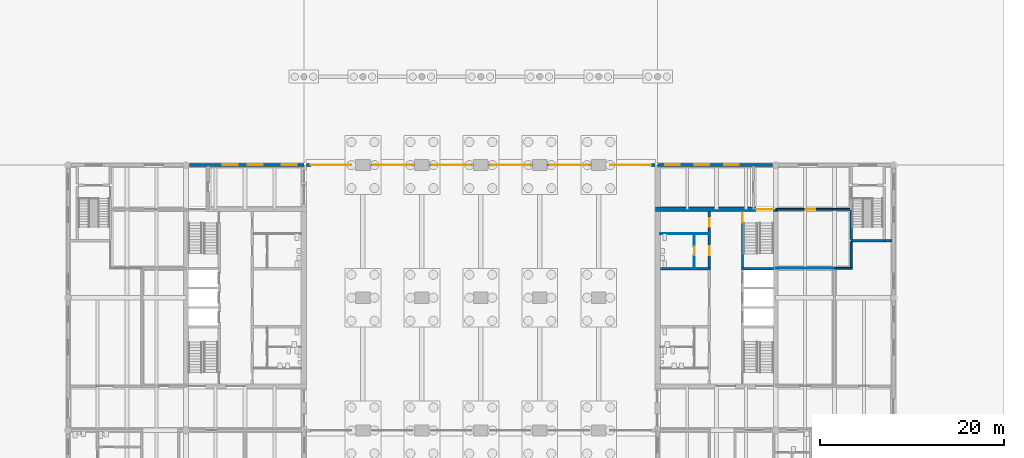
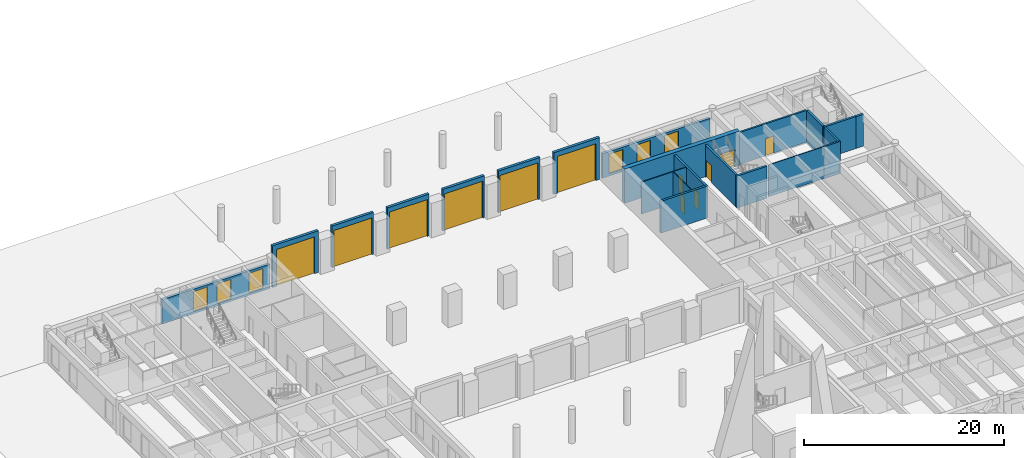
# One storey, part 20 of 28: 22 walls, 12 doors, 6 windows, 18 openings.
"""IFC4 building model written with IfcOpenShell, lengths in metres."""

from ifc_helpers import new_model, si_unit, direction, frame, frame_2d, origin, place, context, subcontext, project, spatial, rectangle, extrude, material, layer, layer_set, type_object, element, fill, save


model = new_model("IFC4")

# Units and contexts
model_context = context("Model", 3, precision=1e-05, world=origin(), true_north=direction((0.0, 1.0)))
body_context = subcontext(model_context, "Body", "Model", "MODEL_VIEW")
ifc_project = project(units=[si_unit("LENGTHUNIT", "METRE"), si_unit("AREAUNIT", "SQUARE_METRE"), si_unit("VOLUMEUNIT", "CUBIC_METRE"), si_unit("PLANEANGLEUNIT", "RADIAN"), si_unit("MASSUNIT", "GRAM", prefix="KILO")], contexts=[model_context])

# Site, building, storey
site_placement = place(None, origin())
site = spatial("IfcSite", under=ifc_project, at=site_placement, CompositionType="ELEMENT")
building_placement = place(site_placement, origin())
building = spatial("IfcBuilding", under=site, at=building_placement, Name="Fogon Plaza Fire Station and Headquarters Tower", CompositionType="ELEMENT")
storey_placement = place(building_placement, origin())
storey = spatial("IfcBuildingStorey", under=building, at=storey_placement, Name="L00", CompositionType="ELEMENT", Elevation=0.0)

# Wall, openings, windows
ifc_material_1 = material(Name="Concrete C40", Category="concrete")
ifc_layer_1 = layer(ifc_material_1, 0.300048828125)
ifc_layer_set_1 = layer_set([ifc_layer_1], Name="Concrete C40")
wall_type_1 = type_object("IfcWallType", Name="Board-marked RC Infill Wall 300", PredefinedType="SOLIDWALL", material=ifc_layer_set_1)
wall_1_placement = place(storey_placement, frame((13.14990234375, 57.60009765625, 0.0), z_axis=(0.0, 0.0, 1.0), x_axis=(1.0, 0.0, 0.0)))
wall_1 = element("IfcWall", 1, at=wall_1_placement, inside=storey, type_object=wall_type_1, Name="Exterior wall WN L00", PredefinedType="SOLIDWALL", context=body_context, shape_type="SweptSolid", body=[
    extrude(rectangle(XDim=12.4501953125, YDim=0.300048828125, at=frame_2d((6.22509765625, 0.0))), origin(), (0.0, 0.0, 1.0), 3.0),
])
opening_1_placement = place(wall_1_placement, frame((6.35009765625, 0.0, 0.300048828125)))
opening_1 = element("IfcOpeningElement", 2, at=opening_1_placement, cuts=wall_1, Name="Opening W2", PredefinedType="OPENING", context=body_context, shape_type="SweptSolid", body=[
    extrude(rectangle(XDim=1.60009765625, YDim=2.39990234375, at=frame_2d((0.800048828125, 1.199951171875))), frame((0.0, 0.159912109375, 0.0), z_axis=(0.0, -1.0, 0.0), x_axis=(1.0, 0.0, 0.0)), (0.0, 0.0, 1.0), 0.320068359375),
])
opening_2_placement = place(wall_1_placement, frame((3.64990234375, 0.0, 0.300048828125)))
opening_2 = element("IfcOpeningElement", 3, at=opening_2_placement, cuts=wall_1, Name="Opening W2", PredefinedType="OPENING", context=body_context, shape_type="SweptSolid", body=[
    extrude(rectangle(XDim=1.60009765625, YDim=2.39990234375, at=frame_2d((0.800048828125, 1.199951171875))), frame((0.0, 0.159912109375, 0.0), z_axis=(0.0, -1.0, 0.0), x_axis=(1.0, 0.0, 0.0)), (0.0, 0.0, 1.0), 0.320068359375),
])
opening_3_placement = place(wall_1_placement, frame((10.050048828125, 0.0, 0.300048828125)))
opening_3 = element("IfcOpeningElement", 4, at=opening_3_placement, cuts=wall_1, Name="Opening W2", PredefinedType="OPENING", context=body_context, shape_type="SweptSolid", body=[
    extrude(rectangle(XDim=1.60009765625, YDim=2.39990234375, at=frame_2d((0.800048828125, 1.199951171875))), frame((0.0, 0.159912109375, 0.0), z_axis=(0.0, -1.0, 0.0), x_axis=(1.0, 0.0, 0.0)), (0.0, 0.0, 1.0), 0.320068359375),
])
ifc_material_2 = material(Name="Aluminium framed double glazing", Category="aluminium")
window_type = type_object("IfcWindowType", Name="Window W2 1600x2400", PartitioningType="SINGLE_PANEL", PredefinedType="WINDOW", material=ifc_material_2)
window_1_placement = place(opening_1_placement, origin())
window_1 = element("IfcWindow", 5, at=window_1_placement, inside=storey, type_object=window_type, Name="Window W2 N L00", OverallHeight=2.39990234375, OverallWidth=1.60009765625, PartitioningType="SINGLE_PANEL", PredefinedType="WINDOW", context=body_context, shape_type="SweptSolid", body=[
    extrude(rectangle(XDim=1.60009765625, YDim=2.39990234375, at=frame_2d((0.800048828125, 1.199951171875))), frame((0.0, 0.030029296875, 0.0), z_axis=(0.0, -1.0, 0.0), x_axis=(1.0, 0.0, 0.0)), (0.0, 0.0, 1.0), 0.06005859375),
])
fill(opening_1, window_1)
window_2_placement = place(opening_2_placement, origin())
window_2 = element("IfcWindow", 6, at=window_2_placement, inside=storey, type_object=window_type, Name="Window W2 N L00", OverallHeight=2.39990234375, OverallWidth=1.60009765625, PartitioningType="SINGLE_PANEL", PredefinedType="WINDOW", context=body_context, shape_type="SweptSolid", body=[
    extrude(rectangle(XDim=1.60009765625, YDim=2.39990234375, at=frame_2d((0.800048828125, 1.199951171875))), frame((0.0, 0.030029296875, 0.0), z_axis=(0.0, -1.0, 0.0), x_axis=(1.0, 0.0, 0.0)), (0.0, 0.0, 1.0), 0.06005859375),
])
fill(opening_2, window_2)
window_3_placement = place(opening_3_placement, origin())
window_3 = element("IfcWindow", 7, at=window_3_placement, inside=storey, type_object=window_type, Name="Window W2 N L00", OverallHeight=2.39990234375, OverallWidth=1.60009765625, PartitioningType="SINGLE_PANEL", PredefinedType="WINDOW", context=body_context, shape_type="SweptSolid", body=[
    extrude(rectangle(XDim=1.60009765625, YDim=2.39990234375, at=frame_2d((0.800048828125, 1.199951171875))), frame((0.0, 0.030029296875, 0.0), z_axis=(0.0, -1.0, 0.0), x_axis=(1.0, 0.0, 0.0)), (0.0, 0.0, 1.0), 0.06005859375),
])
fill(opening_3, window_3)

wall_2_placement = place(storey_placement, frame((64.0, 57.60009765625, 0.0), z_axis=(0.0, 0.0, 1.0), x_axis=(1.0, 0.0, 0.0)))
wall_2 = element("IfcWall", 8, at=wall_2_placement, inside=storey, type_object=wall_type_1, Name="Exterior wall EN L00", PredefinedType="SOLIDWALL", context=body_context, shape_type="SweptSolid", body=[
    extrude(rectangle(XDim=12.449951171875, YDim=0.300048828125, at=frame_2d((6.22509765625, 0.0))), origin(), (0.0, 0.0, 1.0), 3.0),
])
opening_4_placement = place(wall_2_placement, frame((0.800048828125, 0.0, 0.300048828125)))
opening_4 = element("IfcOpeningElement", 9, at=opening_4_placement, cuts=wall_2, Name="Opening W2", PredefinedType="OPENING", context=body_context, shape_type="SweptSolid", body=[
    extrude(rectangle(XDim=1.60009765625, YDim=2.39990234375, at=frame_2d((0.800048828125, 1.199951171875))), frame((0.0, 0.159912109375, 0.0), z_axis=(0.0, -1.0, 0.0), x_axis=(1.0, 0.0, 0.0)), (0.0, 0.0, 1.0), 0.320068359375),
])
opening_5_placement = place(wall_2_placement, frame((4.0, 0.0, 0.300048828125)))
opening_5 = element("IfcOpeningElement", 10, at=opening_5_placement, cuts=wall_2, Name="Opening W2", PredefinedType="OPENING", context=body_context, shape_type="SweptSolid", body=[
    extrude(rectangle(XDim=1.60009765625, YDim=2.39990234375, at=frame_2d((0.800048828125, 1.199951171875))), frame((0.0, 0.159912109375, 0.0), z_axis=(0.0, -1.0, 0.0), x_axis=(1.0, 0.0, 0.0)), (0.0, 0.0, 1.0), 0.320068359375),
])
opening_6_placement = place(wall_2_placement, frame((7.199951171875, 0.0, 0.300048828125)))
opening_6 = element("IfcOpeningElement", 11, at=opening_6_placement, cuts=wall_2, Name="Opening W2", PredefinedType="OPENING", context=body_context, shape_type="SweptSolid", body=[
    extrude(rectangle(XDim=1.60009765625, YDim=2.39990234375, at=frame_2d((0.800048828125, 1.199951171875))), frame((0.0, 0.159912109375, 0.0), z_axis=(0.0, -1.0, 0.0), x_axis=(1.0, 0.0, 0.0)), (0.0, 0.0, 1.0), 0.320068359375),
])
window_4_placement = place(opening_4_placement, origin())
window_4 = element("IfcWindow", 12, at=window_4_placement, inside=storey, type_object=window_type, Name="Window W2 N L00", OverallHeight=2.39990234375, OverallWidth=1.60009765625, PartitioningType="SINGLE_PANEL", PredefinedType="WINDOW", context=body_context, shape_type="SweptSolid", body=[
    extrude(rectangle(XDim=1.60009765625, YDim=2.39990234375, at=frame_2d((0.800048828125, 1.199951171875))), frame((0.0, 0.030029296875, 0.0), z_axis=(0.0, -1.0, 0.0), x_axis=(1.0, 0.0, 0.0)), (0.0, 0.0, 1.0), 0.06005859375),
])
fill(opening_4, window_4)
window_5_placement = place(opening_5_placement, origin())
window_5 = element("IfcWindow", 13, at=window_5_placement, inside=storey, type_object=window_type, Name="Window W2 N L00", OverallHeight=2.39990234375, OverallWidth=1.60009765625, PartitioningType="SINGLE_PANEL", PredefinedType="WINDOW", context=body_context, shape_type="SweptSolid", body=[
    extrude(rectangle(XDim=1.60009765625, YDim=2.39990234375, at=frame_2d((0.800048828125, 1.199951171875))), frame((0.0, 0.030029296875, 0.0), z_axis=(0.0, -1.0, 0.0), x_axis=(1.0, 0.0, 0.0)), (0.0, 0.0, 1.0), 0.06005859375),
])
fill(opening_5, window_5)
window_6_placement = place(opening_6_placement, origin())
window_6 = element("IfcWindow", 14, at=window_6_placement, inside=storey, type_object=window_type, Name="Window W2 N L00", OverallHeight=2.39990234375, OverallWidth=1.60009765625, PartitioningType="SINGLE_PANEL", PredefinedType="WINDOW", context=body_context, shape_type="SweptSolid", body=[
    extrude(rectangle(XDim=1.60009765625, YDim=2.39990234375, at=frame_2d((0.800048828125, 1.199951171875))), frame((0.0, 0.030029296875, 0.0), z_axis=(0.0, -1.0, 0.0), x_axis=(1.0, 0.0, 0.0)), (0.0, 0.0, 1.0), 0.06005859375),
])
fill(opening_6, window_6)

# Wall, opening, door
wall_3_placement = place(storey_placement, frame((25.89990234375, 57.60009765625, 0.0), z_axis=(0.0, 0.0, 1.0), x_axis=(1.0, 0.0, 0.0)))
wall_3 = element("IfcWall", 15, at=wall_3_placement, inside=storey, type_object=wall_type_1, Name="Bay door infill front 1", PredefinedType="SOLIDWALL", context=body_context, shape_type="SweptSolid", body=[
    extrude(rectangle(XDim=5.300048828125, YDim=0.300048828125, at=frame_2d((2.64990234375, 0.0))), origin(), (0.0, 0.0, 1.0), 5.10009765625),
])
opening_7_placement = place(wall_3_placement, frame((0.449951171875, 0.0, 0.0)))
opening_7 = element("IfcOpeningElement", 16, at=opening_7_placement, cuts=wall_3, Name="Opening L00-D17", PredefinedType="OPENING", context=body_context, shape_type="SweptSolid", body=[
    extrude(rectangle(XDim=4.39990234375, YDim=4.5, at=frame_2d((2.199951171875, 2.25))), frame((0.0, 0.159912109375, 0.0), z_axis=(0.0, -1.0, 0.0), x_axis=(1.0, 0.0, 0.0)), (0.0, 0.0, 1.0), 0.320068359375),
])
ifc_material_3 = material(Name="Insulated steel sections", Category="steel")
door_type_1 = type_object("IfcDoorType", Name="Sectional Overhead Door 4400x4500", OperationType="ROLLINGUP", PredefinedType="DOOR", material=ifc_material_3)
door_1_placement = place(opening_7_placement, origin())
door_1 = element("IfcDoor", 17, at=door_1_placement, inside=storey, type_object=door_type_1, Name="Overhead door L00-D17", OperationType="ROLLINGUP", OverallHeight=4.5, OverallWidth=4.39990234375, PredefinedType="DOOR", context=body_context, shape_type="SweptSolid", body=[
    extrude(rectangle(XDim=4.39990234375, YDim=4.5, at=frame_2d((2.199951171875, 2.25))), frame((0.0, 0.02490234375, 0.0), z_axis=(0.0, -1.0, 0.0), x_axis=(1.0, 0.0, 0.0)), (0.0, 0.0, 1.0), 0.050048828125),
])
fill(opening_7, door_1)

wall_4_placement = place(storey_placement, frame((32.800048828125, 57.60009765625, 0.0), z_axis=(0.0, 0.0, 1.0), x_axis=(1.0, 0.0, 0.0)))
wall_4 = element("IfcWall", 18, at=wall_4_placement, inside=storey, type_object=wall_type_1, Name="Bay door infill front 2", PredefinedType="SOLIDWALL", context=body_context, shape_type="SweptSolid", body=[
    extrude(rectangle(XDim=4.800048828125, YDim=0.300048828125, at=frame_2d((2.39990234375, 0.0))), origin(), (0.0, 0.0, 1.0), 5.10009765625),
])
opening_8_placement = place(wall_4_placement, frame((0.199951171875, 0.0, 0.0)))
opening_8 = element("IfcOpeningElement", 19, at=opening_8_placement, cuts=wall_4, Name="Opening L00-D18", PredefinedType="OPENING", context=body_context, shape_type="SweptSolid", body=[
    extrude(rectangle(XDim=4.39990234375, YDim=4.5, at=frame_2d((2.199951171875, 2.25))), frame((0.0, 0.159912109375, 0.0), z_axis=(0.0, -1.0, 0.0), x_axis=(1.0, 0.0, 0.0)), (0.0, 0.0, 1.0), 0.320068359375),
])
door_2_placement = place(opening_8_placement, origin())
door_2 = element("IfcDoor", 20, at=door_2_placement, inside=storey, type_object=door_type_1, Name="Overhead door L00-D18", OperationType="ROLLINGUP", OverallHeight=4.5, OverallWidth=4.39990234375, PredefinedType="DOOR", context=body_context, shape_type="SweptSolid", body=[
    extrude(rectangle(XDim=4.39990234375, YDim=4.5, at=frame_2d((2.199951171875, 2.25))), frame((0.0, 0.02490234375, 0.0), z_axis=(0.0, -1.0, 0.0), x_axis=(1.0, 0.0, 0.0)), (0.0, 0.0, 1.0), 0.050048828125),
])
fill(opening_8, door_2)

wall_5_placement = place(storey_placement, frame((39.199951171875, 57.60009765625, 0.0), z_axis=(0.0, 0.0, 1.0), x_axis=(1.0, 0.0, 0.0)))
wall_5 = element("IfcWall", 21, at=wall_5_placement, inside=storey, type_object=wall_type_1, Name="Bay door infill front 3", PredefinedType="SOLIDWALL", context=body_context, shape_type="SweptSolid", body=[
    extrude(rectangle(XDim=4.800048828125, YDim=0.300048828125, at=frame_2d((2.39990234375, 0.0))), origin(), (0.0, 0.0, 1.0), 5.10009765625),
])
opening_9_placement = place(wall_5_placement, frame((0.199951171875, 0.0, 0.0)))
opening_9 = element("IfcOpeningElement", 22, at=opening_9_placement, cuts=wall_5, Name="Opening L00-D19", PredefinedType="OPENING", context=body_context, shape_type="SweptSolid", body=[
    extrude(rectangle(XDim=4.39990234375, YDim=4.5, at=frame_2d((2.199951171875, 2.25))), frame((0.0, 0.159912109375, 0.0), z_axis=(0.0, -1.0, 0.0), x_axis=(1.0, 0.0, 0.0)), (0.0, 0.0, 1.0), 0.320068359375),
])
door_3_placement = place(opening_9_placement, origin())
door_3 = element("IfcDoor", 23, at=door_3_placement, inside=storey, type_object=door_type_1, Name="Overhead door L00-D19", OperationType="ROLLINGUP", OverallHeight=4.5, OverallWidth=4.39990234375, PredefinedType="DOOR", context=body_context, shape_type="SweptSolid", body=[
    extrude(rectangle(XDim=4.39990234375, YDim=4.5, at=frame_2d((2.199951171875, 2.25))), frame((0.0, 0.02490234375, 0.0), z_axis=(0.0, -1.0, 0.0), x_axis=(1.0, 0.0, 0.0)), (0.0, 0.0, 1.0), 0.050048828125),
])
fill(opening_9, door_3)

wall_6_placement = place(storey_placement, frame((45.60009765625, 57.60009765625, 0.0), z_axis=(0.0, 0.0, 1.0), x_axis=(1.0, 0.0, 0.0)))
wall_6 = element("IfcWall", 24, at=wall_6_placement, inside=storey, type_object=wall_type_1, Name="Bay door infill front 4", PredefinedType="SOLIDWALL", context=body_context, shape_type="SweptSolid", body=[
    extrude(rectangle(XDim=4.7998046875, YDim=0.300048828125, at=frame_2d((2.39990234375, 0.0))), origin(), (0.0, 0.0, 1.0), 5.10009765625),
])
opening_10_placement = place(wall_6_placement, frame((0.199951171875, 0.0, 0.0)))
opening_10 = element("IfcOpeningElement", 25, at=opening_10_placement, cuts=wall_6, Name="Opening L00-D20", PredefinedType="OPENING", context=body_context, shape_type="SweptSolid", body=[
    extrude(rectangle(XDim=4.39990234375, YDim=4.5, at=frame_2d((2.199951171875, 2.25))), frame((0.0, 0.159912109375, 0.0), z_axis=(0.0, -1.0, 0.0), x_axis=(1.0, 0.0, 0.0)), (0.0, 0.0, 1.0), 0.320068359375),
])
door_4_placement = place(opening_10_placement, origin())
door_4 = element("IfcDoor", 26, at=door_4_placement, inside=storey, type_object=door_type_1, Name="Overhead door L00-D20", OperationType="ROLLINGUP", OverallHeight=4.5, OverallWidth=4.39990234375, PredefinedType="DOOR", context=body_context, shape_type="SweptSolid", body=[
    extrude(rectangle(XDim=4.39990234375, YDim=4.5, at=frame_2d((2.199951171875, 2.25))), frame((0.0, 0.02490234375, 0.0), z_axis=(0.0, -1.0, 0.0), x_axis=(1.0, 0.0, 0.0)), (0.0, 0.0, 1.0), 0.050048828125),
])
fill(opening_10, door_4)

wall_7_placement = place(storey_placement, frame((52.0, 57.60009765625, 0.0), z_axis=(0.0, 0.0, 1.0), x_axis=(1.0, 0.0, 0.0)))
wall_7 = element("IfcWall", 27, at=wall_7_placement, inside=storey, type_object=wall_type_1, Name="Bay door infill front 5", PredefinedType="SOLIDWALL", context=body_context, shape_type="SweptSolid", body=[
    extrude(rectangle(XDim=4.800048828125, YDim=0.300048828125, at=frame_2d((2.39990234375, 0.0))), origin(), (0.0, 0.0, 1.0), 5.10009765625),
])
opening_11_placement = place(wall_7_placement, frame((0.199951171875, 0.0, 0.0)))
opening_11 = element("IfcOpeningElement", 28, at=opening_11_placement, cuts=wall_7, Name="Opening L00-D21", PredefinedType="OPENING", context=body_context, shape_type="SweptSolid", body=[
    extrude(rectangle(XDim=4.39990234375, YDim=4.5, at=frame_2d((2.199951171875, 2.25))), frame((0.0, 0.159912109375, 0.0), z_axis=(0.0, -1.0, 0.0), x_axis=(1.0, 0.0, 0.0)), (0.0, 0.0, 1.0), 0.320068359375),
])
door_5_placement = place(opening_11_placement, origin())
door_5 = element("IfcDoor", 29, at=door_5_placement, inside=storey, type_object=door_type_1, Name="Overhead door L00-D21", OperationType="ROLLINGUP", OverallHeight=4.5, OverallWidth=4.39990234375, PredefinedType="DOOR", context=body_context, shape_type="SweptSolid", body=[
    extrude(rectangle(XDim=4.39990234375, YDim=4.5, at=frame_2d((2.199951171875, 2.25))), frame((0.0, 0.02490234375, 0.0), z_axis=(0.0, -1.0, 0.0), x_axis=(1.0, 0.0, 0.0)), (0.0, 0.0, 1.0), 0.050048828125),
])
fill(opening_11, door_5)

wall_8_placement = place(storey_placement, frame((58.39990234375, 57.60009765625, 0.0), z_axis=(0.0, 0.0, 1.0), x_axis=(1.0, 0.0, 0.0)))
wall_8 = element("IfcWall", 30, at=wall_8_placement, inside=storey, type_object=wall_type_1, Name="Bay door infill front 6", PredefinedType="SOLIDWALL", context=body_context, shape_type="SweptSolid", body=[
    extrude(rectangle(XDim=5.300048828125, YDim=0.300048828125, at=frame_2d((2.64990234375, 0.0))), origin(), (0.0, 0.0, 1.0), 5.10009765625),
])
opening_12_placement = place(wall_8_placement, frame((0.449951171875, 0.0, 0.0)))
opening_12 = element("IfcOpeningElement", 31, at=opening_12_placement, cuts=wall_8, Name="Opening L00-D22", PredefinedType="OPENING", context=body_context, shape_type="SweptSolid", body=[
    extrude(rectangle(XDim=4.39990234375, YDim=4.5, at=frame_2d((2.199951171875, 2.25))), frame((0.0, 0.159912109375, 0.0), z_axis=(0.0, -1.0, 0.0), x_axis=(1.0, 0.0, 0.0)), (0.0, 0.0, 1.0), 0.320068359375),
])
door_6_placement = place(opening_12_placement, origin())
door_6 = element("IfcDoor", 32, at=door_6_placement, inside=storey, type_object=door_type_1, Name="Overhead door L00-D22", OperationType="ROLLINGUP", OverallHeight=4.5, OverallWidth=4.39990234375, PredefinedType="DOOR", context=body_context, shape_type="SweptSolid", body=[
    extrude(rectangle(XDim=4.39990234375, YDim=4.5, at=frame_2d((2.199951171875, 2.25))), frame((0.0, 0.02490234375, 0.0), z_axis=(0.0, -1.0, 0.0), x_axis=(1.0, 0.0, 0.0)), (0.0, 0.0, 1.0), 0.050048828125),
])
fill(opening_12, door_6)

# Walls
ifc_material_4 = material(Name="Concrete Block Fire Wall", Category="concrete")
ifc_layer_2 = layer(ifc_material_4, 0.199951171875)
ifc_layer_set_2 = layer_set([ifc_layer_2], Name="Concrete Block Fire Wall")
wall_type_2 = type_object("IfcWallType", Name="Compartment Wall EI 120", PredefinedType="PARTITIONING", material=ifc_layer_set_2)
wall_9_placement = place(storey_placement, frame((85.10009765625, 46.39990234375, 0.0), z_axis=(0.0, 0.0, 1.0), x_axis=(-1.0, 0.0, 0.0)))
element("IfcWall", 33, at=wall_9_placement, inside=storey, type_object=wall_type_2, Name="wall-L00-E-024", PredefinedType="PARTITIONING", context=body_context, shape_type="SweptSolid", body=[
    extrude(rectangle(XDim=1.900146484375, YDim=0.199951171875, at=frame_2d((0.9501953125, 0.0))), origin(), (0.0, 0.0, 1.0), 3.89990234375),
])
wall_10_placement = place(storey_placement, frame((85.0, 46.5, 0.0), z_axis=(0.0, 0.0, 1.0), x_axis=(0.0, 1.0, 0.0)))
element("IfcWall", 34, at=wall_10_placement, inside=storey, type_object=wall_type_2, Name="wall-L00-E-037", PredefinedType="PARTITIONING", context=body_context, shape_type="SweptSolid", body=[
    extrude(rectangle(XDim=2.77490234375, YDim=0.199951171875, at=frame_2d((1.387451171875, 0.0))), origin(), (0.0, 0.0, 1.0), 3.89990234375),
])
ifc_material_5 = material(Name="Concrete C40", Category="concrete")
ifc_layer_3 = layer(ifc_material_5, 0.25)
ifc_layer_set_3 = layer_set([ifc_layer_3], Name="Concrete C40")
wall_type_3 = type_object("IfcWallType", Name="Core Wall RC 250", PredefinedType="SOLIDWALL", material=ifc_layer_set_3)
wall_11_placement = place(storey_placement, frame((76.550048828125, 46.35009765625, 0.0), z_axis=(0.0, 0.0, 1.0), x_axis=(-1.0, 0.0, 0.0)))
element("IfcWall", 35, at=wall_11_placement, inside=storey, type_object=wall_type_3, Name="Core B shaft wall", PredefinedType="SOLIDWALL", context=body_context, shape_type="SweptSolid", body=[
    extrude(rectangle(XDim=3.47509765625, YDim=0.25, at=frame_2d((1.737548828125, 0.0))), origin(), (0.0, 0.0, 1.0), 3.89990234375),
])

# Wall, opening, door
wall_12_placement = place(storey_placement, frame((73.199951171875, 46.47509765625, 0.0), z_axis=(0.0, 0.0, 1.0), x_axis=(0.0, 1.0, 0.0)))
wall_12 = element("IfcWall", 36, at=wall_12_placement, inside=storey, type_object=wall_type_3, Name="Core B shaft wall", PredefinedType="SOLIDWALL", context=body_context, shape_type="SweptSolid", body=[
    extrude(rectangle(XDim=6.074951171875, YDim=0.25, at=frame_2d((3.03759765625, 0.0))), origin(), (0.0, 0.0, 1.0), 3.89990234375),
])
opening_13_placement = place(wall_12_placement, frame((4.875, 0.0, 0.0)))
opening_13 = element("IfcOpeningElement", 37, at=opening_13_placement, cuts=wall_12, Name="Opening L00-D46", PredefinedType="OPENING", context=body_context, shape_type="SweptSolid", body=[
    extrude(rectangle(XDim=1.10009765625, YDim=2.10009765625, at=frame_2d((0.550048828125, 1.050048828125))), frame((0.0, 0.135009765625, 0.0), z_axis=(0.0, -1.0, 0.0), x_axis=(1.0, 0.0, 0.0)), (0.0, 0.0, 1.0), 0.27001953125),
])
ifc_material_6 = material(Name="Steel Fire Door Leaf", Category="steel")
door_type_2 = type_object("IfcDoorType", Name="Stair Door Single 1100x2100", OperationType="SINGLE_SWING_LEFT", PredefinedType="DOOR", material=ifc_material_6)
door_7_placement = place(opening_13_placement, origin())
door_7 = element("IfcDoor", 38, at=door_7_placement, inside=storey, type_object=door_type_2, Name="Stair door ST4", OperationType="SINGLE_SWING_RIGHT", OverallHeight=2.10009765625, OverallWidth=1.10009765625, PredefinedType="DOOR", context=body_context, shape_type="SweptSolid", body=[
    extrude(rectangle(XDim=1.10009765625, YDim=2.10009765625, at=frame_2d((0.550048828125, 1.050048828125))), frame((0.0, 0.02490234375, 0.0), z_axis=(0.0, -1.0, 0.0), x_axis=(1.0, 0.0, 0.0)), (0.0, 0.0, 1.0), 0.050048828125),
])
fill(opening_13, door_7)

# Wall, openings, doors
wall_13_placement = place(storey_placement, frame((69.60009765625, 46.47509765625, 0.0), z_axis=(0.0, 0.0, 1.0), x_axis=(0.0, 1.0, 0.0)))
wall_13 = element("IfcWall", 39, at=wall_13_placement, inside=storey, type_object=wall_type_3, Name="Core B shaft wall", PredefinedType="SOLIDWALL", context=body_context, shape_type="SweptSolid", body=[
    extrude(rectangle(XDim=6.074951171875, YDim=0.25, at=frame_2d((3.03759765625, 0.0))), origin(), (0.0, 0.0, 1.0), 3.89990234375),
])
opening_14_placement = place(wall_13_placement, frame((1.3125, 0.0, 0.0)))
opening_14 = element("IfcOpeningElement", 40, at=opening_14_placement, cuts=wall_13, Name="Opening L00-D55", PredefinedType="OPENING", context=body_context, shape_type="SweptSolid", body=[
    extrude(rectangle(XDim=1.0, YDim=2.10009765625, at=frame_2d((0.5, 1.050048828125))), frame((0.0, 0.135009765625, 0.0), z_axis=(0.0, -1.0, 0.0), x_axis=(1.0, 0.0, 0.0)), (0.0, 0.0, 1.0), 0.27001953125),
])
opening_15_placement = place(wall_13_placement, frame((4.449951171875, 0.0, 0.0)))
opening_15 = element("IfcOpeningElement", 41, at=opening_15_placement, cuts=wall_13, Name="Opening L00-D57", PredefinedType="OPENING", context=body_context, shape_type="SweptSolid", body=[
    extrude(rectangle(XDim=0.89990234375, YDim=2.10009765625, at=frame_2d((0.449951171875, 1.050048828125))), frame((0.0, 0.135009765625, 0.0), z_axis=(0.0, -1.0, 0.0), x_axis=(1.0, 0.0, 0.0)), (0.0, 0.0, 1.0), 0.27001953125),
])
ifc_material_7 = material(Name="Steel Fire Door Leaf", Category="steel")
door_type_3 = type_object("IfcDoorType", Name="Riser Single 900x2100", OperationType="SINGLE_SWING_LEFT", PredefinedType="DOOR", material=ifc_material_7)
door_8_placement = place(opening_15_placement, origin())
door_8 = element("IfcDoor", 42, at=door_8_placement, inside=storey, type_object=door_type_3, Name="Riser room B door", OperationType="SINGLE_SWING_RIGHT", OverallHeight=2.10009765625, OverallWidth=0.89990234375, PredefinedType="DOOR", context=body_context, shape_type="SweptSolid", body=[
    extrude(rectangle(XDim=0.89990234375, YDim=2.10009765625, at=frame_2d((0.449951171875, 1.050048828125))), frame((0.0, 0.02490234375, 0.0), z_axis=(0.0, -1.0, 0.0), x_axis=(1.0, 0.0, 0.0)), (0.0, 0.0, 1.0), 0.050048828125),
])
fill(opening_15, door_8)
ifc_material_8 = material(Name="Timber fire door", Category="wood")
door_type_4 = type_object("IfcDoorType", Name="WC Lobby Single 1000x2100", OperationType="SINGLE_SWING_LEFT", PredefinedType="DOOR", material=ifc_material_8)
door_9_placement = place(opening_14_placement, origin())
door_9 = element("IfcDoor", 43, at=door_9_placement, inside=storey, type_object=door_type_4, Name="Women's WC lobby B door", OperationType="SINGLE_SWING_RIGHT", OverallHeight=2.10009765625, OverallWidth=1.0, PredefinedType="DOOR", context=body_context, shape_type="SweptSolid", body=[
    extrude(rectangle(XDim=1.0, YDim=2.10009765625, at=frame_2d((0.5, 1.050048828125))), frame((0.0, 0.02490234375, 0.0), z_axis=(0.0, -1.0, 0.0), x_axis=(1.0, 0.0, 0.0)), (0.0, 0.0, 1.0), 0.050048828125),
])
fill(opening_14, door_9)

# Wall
wall_14_placement = place(storey_placement, frame((69.72509765625, 46.35009765625, 0.0), z_axis=(0.0, 0.0, 1.0), x_axis=(-1.0, 0.0, 0.0)))
element("IfcWall", 44, at=wall_14_placement, inside=storey, type_object=wall_type_3, Name="Core B shaft wall", PredefinedType="SOLIDWALL", context=body_context, shape_type="SweptSolid", body=[
    extrude(rectangle(XDim=5.425048828125, YDim=0.25, at=frame_2d((2.71240234375, 0.0))), origin(), (0.0, 0.0, 1.0), 3.89990234375),
])

# Wall, opening, door
ifc_material_9 = material(Name="Gypsum Board Fire Partition")
ifc_layer_4 = layer(ifc_material_9, 0.199951171875)
ifc_layer_set_4 = layer_set([ifc_layer_4], Name="Gypsum Board Fire Partition")
wall_type_4 = type_object("IfcWallType", Name="Corridor Wall EI 60", PredefinedType="PARTITIONING", material=ifc_layer_set_4)
wall_15_placement = place(storey_placement, frame((84.875, 52.800048828125, 0.0), z_axis=(0.0, 0.0, 1.0), x_axis=(-1.0, 0.0, 0.0)))
wall_15 = element("IfcWall", 45, at=wall_15_placement, inside=storey, type_object=wall_type_4, Name="wall-L00-E-028", PredefinedType="PARTITIONING", context=body_context, shape_type="SweptSolid", body=[
    extrude(rectangle(XDim=8.074951171875, YDim=0.199951171875, at=frame_2d((4.03759765625, 0.0))), origin(), (0.0, 0.0, 1.0), 3.89990234375),
])
opening_16_placement = place(wall_15_placement, frame((3.77490234375, 0.0, 0.0)))
opening_16 = element("IfcOpeningElement", 46, at=opening_16_placement, cuts=wall_15, Name="Opening L00-D97", PredefinedType="OPENING", context=body_context, shape_type="SweptSolid", body=[
    extrude(rectangle(XDim=1.0, YDim=2.10009765625, at=frame_2d((0.5, 1.050048828125))), frame((0.0, 0.10986328125, 0.0), z_axis=(0.0, -1.0, 0.0), x_axis=(1.0, 0.0, 0.0)), (0.0, 0.0, 1.0), 0.219970703125),
])
ifc_material_10 = material(Name="Steel Fire Door Leaf", Category="steel")
door_type_5 = type_object("IfcDoorType", Name="Corridor Door EI 20 1000x2100", OperationType="SINGLE_SWING_LEFT", PredefinedType="DOOR", material=ifc_material_10)
door_10_placement = place(opening_16_placement, origin())
door_10 = element("IfcDoor", 47, at=door_10_placement, inside=storey, type_object=door_type_5, Name="door-L00-E-18", OperationType="SINGLE_SWING_RIGHT", OverallHeight=2.10009765625, OverallWidth=1.0, PredefinedType="DOOR", context=body_context, shape_type="SweptSolid", body=[
    extrude(rectangle(XDim=1.0, YDim=2.10009765625, at=frame_2d((0.5, 1.050048828125))), frame((0.0, 0.02490234375, 0.0), z_axis=(0.0, -1.0, 0.0), x_axis=(1.0, 0.0, 0.0)), (0.0, 0.0, 1.0), 0.050048828125),
])
fill(opening_16, door_10)

ifc_material_11 = material(Name="Blockwork", Category="masonry")
ifc_layer_5 = layer(ifc_material_11, 0.10009765625)
ifc_layer_set_5 = layer_set([ifc_layer_5], Name="Blockwork")
wall_type_5 = type_object("IfcWallType", Name="Partition Blockwork 100", PredefinedType="PARTITIONING", material=ifc_layer_set_5)
wall_16_placement = place(storey_placement, frame((67.97509765625, 46.47509765625, 0.0), z_axis=(0.0, 0.0, 1.0), x_axis=(0.0, 1.0, 0.0)))
wall_16 = element("IfcWall", 48, at=wall_16_placement, inside=storey, type_object=wall_type_5, Name="WC block partition", PredefinedType="PARTITIONING", context=body_context, shape_type="SweptSolid", body=[
    extrude(rectangle(XDim=3.625, YDim=0.10009765625, at=frame_2d((1.8125, 0.0))), origin(), (0.0, 0.0, 1.0), 3.89990234375),
])
opening_17_placement = place(wall_16_placement, frame((1.362548828125, 0.0, 0.0)))
opening_17 = element("IfcOpeningElement", 49, at=opening_17_placement, cuts=wall_16, Name="Opening L00-D56", PredefinedType="OPENING", context=body_context, shape_type="SweptSolid", body=[
    extrude(rectangle(XDim=0.89990234375, YDim=2.10009765625, at=frame_2d((0.449951171875, 1.050048828125))), frame((0.0, 0.06005859375, 0.0), z_axis=(0.0, -1.0, 0.0), x_axis=(1.0, 0.0, 0.0)), (0.0, 0.0, 1.0), 0.1201171875),
])
ifc_material_12 = material(Name="Timber Door Leaf", Category="wood")
door_type_6 = type_object("IfcDoorType", Name="WC Single 900x2100", OperationType="SINGLE_SWING_LEFT", PredefinedType="DOOR", material=ifc_material_12)
door_11_placement = place(opening_17_placement, origin())
door_11 = element("IfcDoor", 50, at=door_11_placement, inside=storey, type_object=door_type_6, Name="Women's WC B door", OperationType="SINGLE_SWING_LEFT", OverallHeight=2.10009765625, OverallWidth=0.89990234375, PredefinedType="DOOR", context=body_context, shape_type="SweptSolid", body=[
    extrude(rectangle(XDim=0.89990234375, YDim=2.10009765625, at=frame_2d((0.449951171875, 1.050048828125))), frame((0.0, 0.02490234375, 0.0), z_axis=(0.0, -1.0, 0.0), x_axis=(1.0, 0.0, 0.0)), (0.0, 0.0, 1.0), 0.050048828125),
])
fill(opening_17, door_11)

# Walls
ifc_material_13 = material(Name="Gypsum Board Partition")
ifc_layer_6 = layer(ifc_material_13, 0.10009765625)
ifc_layer_set_6 = layer_set([ifc_layer_6], Name="Gypsum Board Partition")
wall_type_6 = type_object("IfcWallType", Name="Partition Gypsum 100", PredefinedType="PARTITIONING", material=ifc_layer_set_6)
wall_17_placement = place(storey_placement, frame((83.199951171875, 46.39990234375, 0.0), z_axis=(0.0, 0.0, 1.0), x_axis=(-1.0, 0.0, 0.0)))
element("IfcWall", 51, at=wall_17_placement, inside=storey, type_object=wall_type_6, Name="wall-L00-E-025", PredefinedType="PARTITIONING", context=body_context, shape_type="SweptSolid", body=[
    extrude(rectangle(XDim=6.39990234375, YDim=0.10009765625, at=frame_2d((3.199951171875, 0.0))), origin(), (0.0, 0.0, 1.0), 3.89990234375),
])
ifc_material_14 = material(Name="Blockwork", Category="masonry")
ifc_layer_7 = layer(ifc_material_14, 0.10009765625)
ifc_layer_set_7 = layer_set([ifc_layer_7], Name="Blockwork")
wall_type_7 = type_object("IfcWallType", Name="Riser Partition Blockwork 100", PredefinedType="PARTITIONING", material=ifc_layer_set_7)
wall_18_placement = place(storey_placement, frame((69.47509765625, 50.14990234375, 0.0), z_axis=(0.0, 0.0, 1.0), x_axis=(-1.0, 0.0, 0.0)))
element("IfcWall", 52, at=wall_18_placement, inside=storey, type_object=wall_type_7, Name="Riser room partition", PredefinedType="PARTITIONING", context=body_context, shape_type="SweptSolid", body=[
    extrude(rectangle(XDim=5.175048828125, YDim=0.10009765625, at=frame_2d((2.58740234375, 0.0))), origin(), (0.0, 0.0, 1.0), 3.89990234375),
])

# Wall, opening, door
ifc_material_15 = material(Name="Concrete C40", Category="concrete")
ifc_layer_8 = layer(ifc_material_15, 0.5)
ifc_layer_set_8 = layer_set([ifc_layer_8], Name="Concrete C40")
wall_type_8 = type_object("IfcWallType", Name="Shear wall 500 SW50", PredefinedType="SHEAR", material=ifc_layer_set_8)
wall_19_placement = place(storey_placement, frame((63.75, 52.800048828125, 0.0), z_axis=(0.0, 0.0, 1.0), x_axis=(1.0, 0.0, 0.0)))
wall_19 = element("IfcWall", 53, at=wall_19_placement, inside=storey, type_object=wall_type_8, Name="wall-coreB-N-L00", PredefinedType="SHEAR", context=body_context, shape_type="SweptSolid", body=[
    extrude(rectangle(XDim=13.300048828125, YDim=0.5, at=frame_2d((6.64990234375, 0.0))), origin(), (0.0, 0.0, 1.0), 4.199951171875),
])
opening_18_placement = place(wall_19_placement, frame((10.949951171875, 0.0, 0.0)))
opening_18 = element("IfcOpeningElement", 54, at=opening_18_placement, cuts=wall_19, Name="Opening L00-D60", PredefinedType="OPENING", context=body_context, shape_type="SweptSolid", body=[
    extrude(rectangle(XDim=1.800048828125, YDim=2.10009765625, at=frame_2d((0.89990234375, 1.050048828125))), frame((0.0, 0.260009765625, 0.0), z_axis=(0.0, -1.0, 0.0), x_axis=(1.0, 0.0, 0.0)), (0.0, 0.0, 1.0), 0.52001953125),
])
ifc_material_16 = material(Name="Steel Fire Door Leaf", Category="steel")
door_type_7 = type_object("IfcDoorType", Name="Stair Discharge Double 1800x2100", OperationType="SINGLE_SWING_LEFT", PredefinedType="DOOR", material=ifc_material_16)
door_12_placement = place(opening_18_placement, origin())
door_12 = element("IfcDoor", 55, at=door_12_placement, inside=storey, type_object=door_type_7, Name="Stair ST4 discharge door", OperationType="SINGLE_SWING_LEFT", OverallHeight=2.10009765625, OverallWidth=1.800048828125, PredefinedType="DOOR", context=body_context, shape_type="SweptSolid", body=[
    extrude(rectangle(XDim=1.800048828125, YDim=2.10009765625, at=frame_2d((0.89990234375, 1.050048828125))), frame((0.0, 0.02490234375, 0.0), z_axis=(0.0, -1.0, 0.0), x_axis=(1.0, 0.0, 0.0)), (0.0, 0.0, 1.0), 0.050048828125),
])
fill(opening_18, door_12)

# Walls
ifc_material_17 = material(Name="Concrete C40", Category="concrete")
ifc_layer_9 = layer(ifc_material_17, 0.25)
ifc_layer_set_9 = layer_set([ifc_layer_9], Name="Concrete C40")
wall_type_9 = type_object("IfcWallType", Name="Stair Shaft Wall RC 250", PredefinedType="SHEAR", material=ifc_layer_set_9)
wall_20_placement = place(storey_placement, frame((88.60009765625, 49.39990234375, 0.0), z_axis=(0.0, 0.0, 1.0), x_axis=(-1.0, 0.0, 0.0)))
element("IfcWall", 56, at=wall_20_placement, inside=storey, type_object=wall_type_9, Name="wall-L00-E-027", PredefinedType="SHEAR", context=body_context, shape_type="SweptSolid", body=[
    extrude(rectangle(XDim=3.610107421875, YDim=0.25, at=frame_2d((1.80517578125, 0.0))), origin(), (0.0, 0.0, 1.0), 3.89990234375),
])
wall_21_placement = place(storey_placement, frame((85.0, 49.52490234375, 0.0), z_axis=(0.0, 0.0, 1.0), x_axis=(0.0, 1.0, 0.0)))
element("IfcWall", 57, at=wall_21_placement, inside=storey, type_object=wall_type_9, Name="wall-L00-E-038", PredefinedType="SHEAR", context=body_context, shape_type="SweptSolid", body=[
    extrude(rectangle(XDim=3.175048828125, YDim=0.25, at=frame_2d((1.58740234375, 0.0))), origin(), (0.0, 0.0, 1.0), 3.89990234375),
])
ifc_material_18 = material(Name="Concrete Block Fire Wall", Category="concrete")
ifc_layer_10 = layer(ifc_material_18, 0.25)
ifc_layer_set_10 = layer_set([ifc_layer_10], Name="Concrete Block Fire Wall")
wall_type_10 = type_object("IfcWallType", Name="Stair and Shaft Wall EI 120", PredefinedType="PARTITIONING", material=ifc_layer_set_10)
wall_22_placement = place(storey_placement, frame((89.449951171875, 49.39990234375, 0.0), z_axis=(0.0, 0.0, 1.0), x_axis=(-1.0, 0.0, 0.0)))
element("IfcWall", 58, at=wall_22_placement, inside=storey, type_object=wall_type_10, Name="wall-L00-E-026", PredefinedType="PARTITIONING", context=body_context, shape_type="SweptSolid", body=[
    extrude(rectangle(XDim=0.849853515625, YDim=0.25, at=frame_2d((0.4248046875, 0.0))), origin(), (0.0, 0.0, 1.0), 3.89990234375),
])

save(model, "model.ifc")
